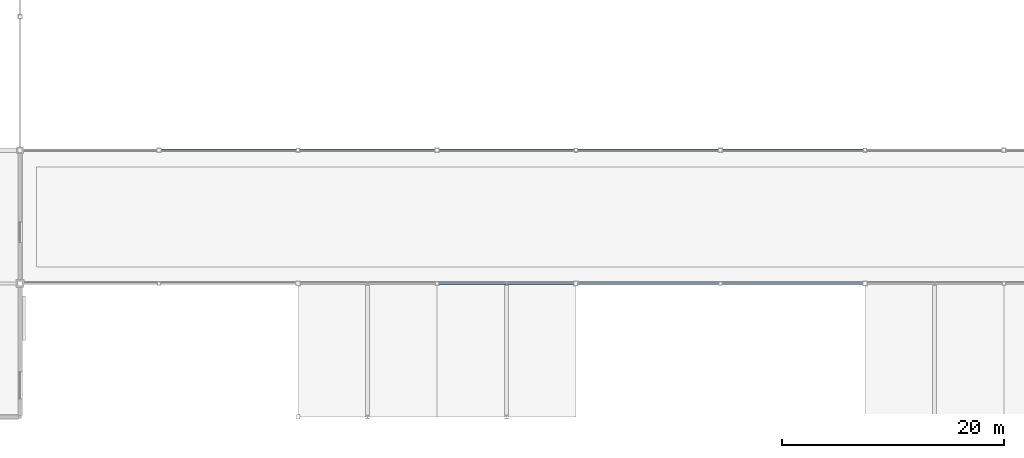
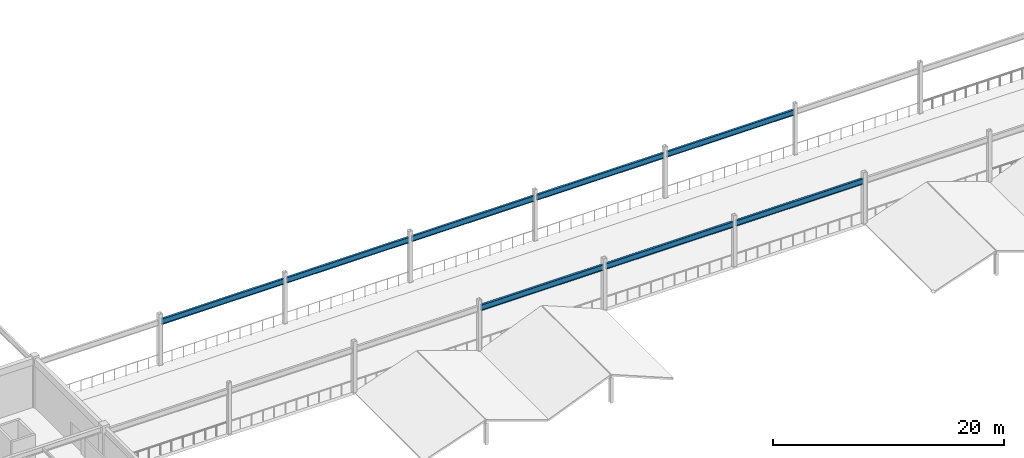
# One storey, part 33 of 105: 8 beams.
"""IFC4 building model written with IfcOpenShell, lengths in metres."""

from ifc_helpers import new_model, si_unit, direction, frame, origin, origin_2d, place, context, subcontext, project, spatial, i_section, extrude, material, material_profile, profile_set, type_object, element, save


model = new_model("IFC4")

# Units and contexts
model_context = context("Model", 3, precision=1e-05, world=origin(), true_north=direction((0.0, 1.0)))
body_context = subcontext(model_context, "Body", "Model", "MODEL_VIEW")
ifc_project = project(units=[si_unit("LENGTHUNIT", "METRE"), si_unit("AREAUNIT", "SQUARE_METRE"), si_unit("VOLUMEUNIT", "CUBIC_METRE"), si_unit("PLANEANGLEUNIT", "RADIAN"), si_unit("MASSUNIT", "GRAM", prefix="KILO")], contexts=[model_context])

# Site, building, storey
site_placement = place(None, origin())
site = spatial("IfcSite", under=ifc_project, at=site_placement, CompositionType="ELEMENT")
building_placement = place(site_placement, origin())
building = spatial("IfcBuilding", under=site, at=building_placement, Name="Kazenohara Klinker Stadium", CompositionType="ELEMENT")
storey_placement = place(building_placement, frame((0.0, 0.0, 20.39990234375)))
storey = spatial("IfcBuildingStorey", under=building, at=storey_placement, Name="L04", CompositionType="ELEMENT", Elevation=20.39990234375)

# Beams
ifc_material = material(Name="Steel S355", Category="steel")
ifc_material_profile = material_profile(ifc_material, i_section(OverallWidth=0.199951171875, OverallDepth=0.60009765625, WebThickness=0.010986328125, FlangeThickness=0.01708984375, FilletRadius=0.012939453125, at=origin_2d()), Name="H-600x200x11x17")
ifc_profile_set = profile_set([ifc_material_profile], Name="Steel S355")
beam_type = type_object("IfcBeamType", Name="BM-ST04", PredefinedType="BEAM", material=ifc_profile_set)
for number, where, z_axis, x_axis, name in (
    (1, (61.639892578125, 36.0, 4.4501953125), (1.0, 0.0, 0.0), (0.0, 1.0, 0.0), "Canopy tie girder SB04 L04 6-7/D"),
    (2, (74.139892578125, 36.0, 4.4501953125), (1.0, 0.0, 0.0), (0.0, 1.0, 0.0), "Canopy tie girder SB04 L04 7-8/D"),
    (3, (86.639892578125, 24.0, 4.4501953125), (1.0, 0.0, 0.0), (0.0, 1.0, 0.0), "Canopy tie girder SB04 L04 8-9/C"),
    (4, (86.639892578125, 36.0, 4.4501953125), (1.0, 0.0, 0.0), (0.0, 1.0, 0.0), "Canopy tie girder SB04 L04 8-9/D"),
):
    element("IfcBeam", number, at=place(storey_placement, frame(where, z_axis=z_axis, x_axis=x_axis)), inside=storey, type_object=beam_type, Name=name, PredefinedType="BEAM", context=body_context, shape_type="SweptSolid", body=[
        extrude(i_section(OverallWidth=0.199951171875, OverallDepth=0.60009765625, WebThickness=0.010986328125, FlangeThickness=0.01708984375, FilletRadius=0.012939453125, at=origin_2d()), origin(), (0.0, 0.0, 1.0), 12.22021484375),
    ])
for number, where, z_axis, x_axis, name in (
    (5, (99.139892578125, 24.0, 4.4501953125), (1.0, 0.0, 0.0), (0.0, 1.0, 0.0), "Canopy tie girder SB04 L04 9-10/C"),
    (6, (99.139892578125, 36.0, 4.4501953125), (1.0, 0.0, 0.0), (0.0, 1.0, 0.0), "Canopy tie girder SB04 L04 9-10/D"),
    (7, (112.139892578125, 24.0, 4.4501953125), (1.0, 0.0, 0.0), (0.0, 1.0, 0.0), "Canopy tie girder SB04 L04 10-11/C"),
    (8, (112.139892578125, 36.0, 4.4501953125), (1.0, 0.0, 0.0), (0.0, 1.0, 0.0), "Canopy tie girder SB04 L04 10-11/D"),
):
    element("IfcBeam", number, at=place(storey_placement, frame(where, z_axis=z_axis, x_axis=x_axis)), inside=storey, type_object=beam_type, Name=name, PredefinedType="BEAM", context=body_context, shape_type="SweptSolid", body=[
        extrude(i_section(OverallWidth=0.199951171875, OverallDepth=0.60009765625, WebThickness=0.010986328125, FlangeThickness=0.01708984375, FilletRadius=0.012939453125, at=origin_2d()), origin(), (0.0, 0.0, 1.0), 12.72021484375),
    ])

save(model, "model.ifc")
